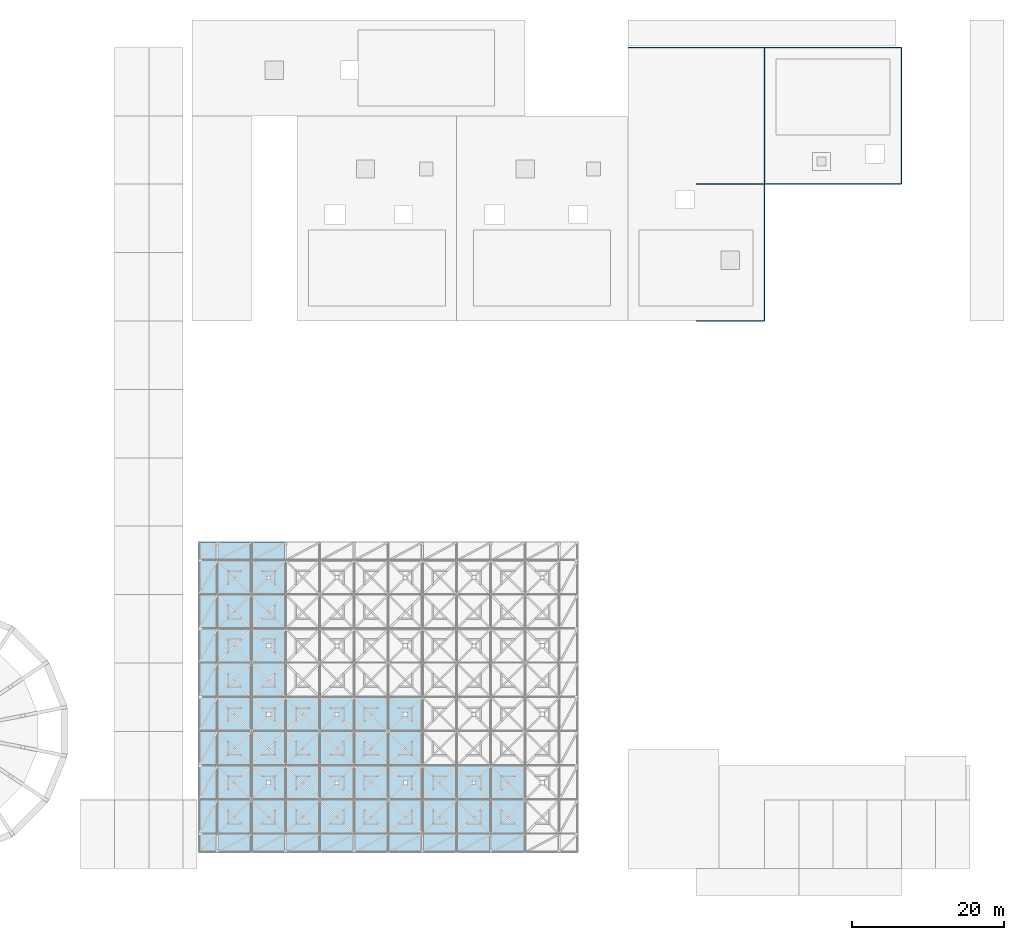
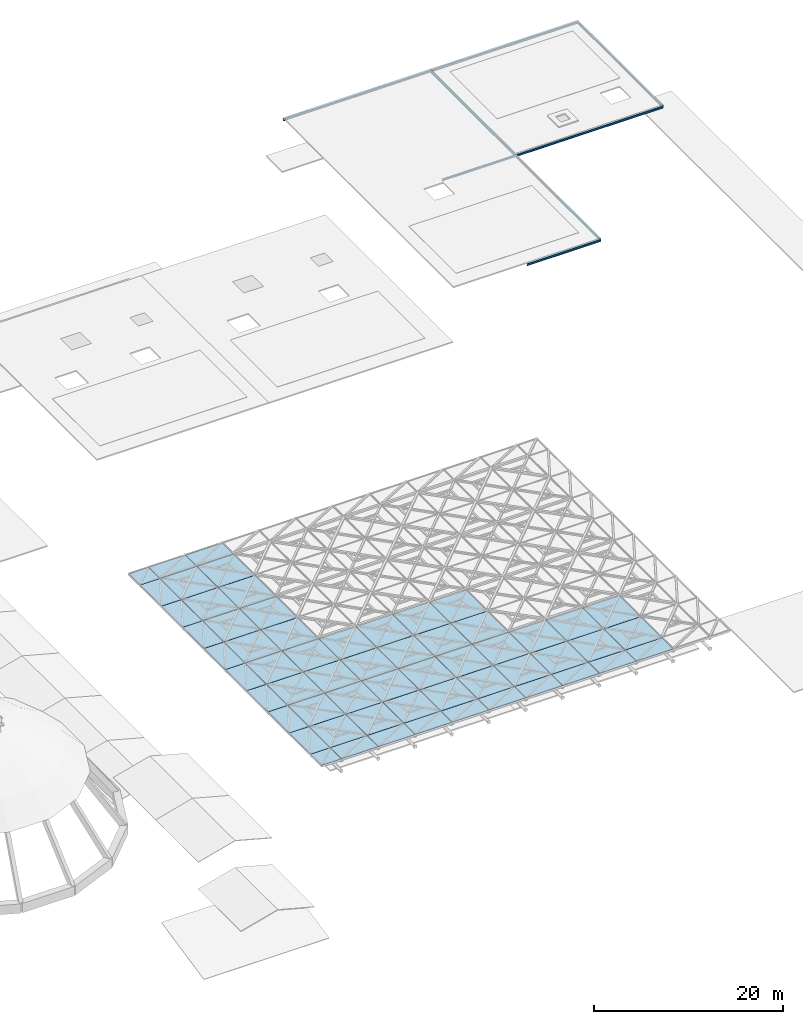
# One storey, part 62 of 80: 59 plates, 14 beams, 10 elements without a shape of their own.
"""IFC4 building model written with IfcOpenShell, lengths in metres."""

from ifc_helpers import new_model, si_unit, direction, frame, origin, origin_2d, place, context, subcontext, project, spatial, rectangle, i_section, extrude, material, layer, layer_set, material_profile, profile_set, type_object, element, aggregate, save


model = new_model("IFC4")

# Units and contexts
model_context = context("Model", 3, precision=1e-05, world=origin(), true_north=direction((0.0, 1.0)))
body_context = subcontext(model_context, "Body", "Model", "MODEL_VIEW")
ifc_project = project(units=[si_unit("LENGTHUNIT", "METRE"), si_unit("AREAUNIT", "SQUARE_METRE"), si_unit("VOLUMEUNIT", "CUBIC_METRE"), si_unit("PLANEANGLEUNIT", "RADIAN"), si_unit("MASSUNIT", "GRAM", prefix="KILO"), si_unit("THERMODYNAMICTEMPERATUREUNIT", "KELVIN"), si_unit("POWERUNIT", "WATT")], contexts=[model_context])

# Site, building, storey
site_placement = place(None, origin())
site = spatial("IfcSite", under=ifc_project, at=site_placement, CompositionType="ELEMENT")
building_placement = place(site_placement, origin())
building = spatial("IfcBuilding", under=site, at=building_placement, Name="Tallowbark Science Centre", CompositionType="ELEMENT")
storey_placement = place(building_placement, frame((0.0, 0.0, 25.949951171875)))
storey = spatial("IfcBuildingStorey", under=building, at=storey_placement, Name="ROOF", CompositionType="ELEMENT", Elevation=25.949951171875)

# Beams
ifc_material_1 = material(Name="Structural Steel Grade 300PLUS (300 MPa)", Category="steel")
ifc_material_profile = material_profile(ifc_material_1, i_section(OverallWidth=0.146484375, OverallDepth=0.256103515625, WebThickness=0.00634765625, FlangeThickness=0.010986328125, FilletRadius=0.0087890625, at=origin_2d()), Name="250UB37.3")
ifc_profile_set = profile_set([ifc_material_profile], Name="Structural Steel Grade 300PLUS (300 MPa)")
beam_type = type_object("IfcBeamType", Name="JST-UB250", PredefinedType="JOIST", material=ifc_profile_set)
for number, where, z_axis, x_axis, name in (
    (1, (121.5, 72.0, -0.2880859375), (1.0, 0.0, 0.0), (0.0, 1.0, 0.0), "Primary Girder GRDX-ROOF-1215-1305-720"),
    (2, (121.5, 90.0, -0.2880859375), (1.0, 0.0, 0.0), (0.0, 1.0, 0.0), "Primary Girder GRDX-ROOF-1215-1305-900"),
    (3, (130.5, 90.0, -0.2880859375), (1.0, 0.0, 0.0), (0.0, 1.0, 0.0), "Primary Girder GRDX-ROOF-1305-1395-900"),
    (4, (139.5, 90.0, -0.2880859375), (1.0, 0.0, 0.0), (0.0, 1.0, 0.0), "Primary Girder GRDX-ROOF-1395-1485-900"),
    (5, (112.5, 108.0, -0.2880859375), (1.0, 0.0, 0.0), (0.0, 1.0, 0.0), "Primary Girder GRDX-ROOF-1125-1215-1080"),
    (6, (121.5, 108.0, -0.2880859375), (1.0, 0.0, 0.0), (0.0, 1.0, 0.0), "Primary Girder GRDX-ROOF-1215-1305-1080"),
    (7, (130.5, 108.0, -0.2880859375), (1.0, 0.0, 0.0), (0.0, 1.0, 0.0), "Primary Girder GRDX-ROOF-1305-1395-1080"),
    (8, (139.5, 108.0, -0.2880859375), (1.0, 0.0, 0.0), (0.0, 1.0, 0.0), "Primary Girder GRDX-ROOF-1395-1485-1080"),
    (9, (130.5, 72.0, -0.2880859375), (0.0, 1.0, 0.0), (-1.0, 0.0, 0.0), "Primary Girder GRDY-ROOF-1305-720-810"),
    (10, (130.5, 81.0, -0.2880859375), (0.0, 1.0, 0.0), (-1.0, 0.0, 0.0), "Primary Girder GRDY-ROOF-1305-810-900"),
    (11, (130.5, 90.0, -0.2880859375), (0.0, 1.0, 0.0), (-1.0, 0.0, 0.0), "Primary Girder GRDY-ROOF-1305-900-990"),
    (12, (130.5, 99.0, -0.2880859375), (0.0, 1.0, 0.0), (-1.0, 0.0, 0.0), "Primary Girder GRDY-ROOF-1305-990-1080"),
    (13, (148.5, 90.0, -0.2880859375), (0.0, 1.0, 0.0), (-1.0, 0.0, 0.0), "Primary Girder GRDY-ROOF-1485-900-990"),
    (14, (148.5, 99.0, -0.2880859375), (0.0, 1.0, 0.0), (-1.0, 0.0, 0.0), "Primary Girder GRDY-ROOF-1485-990-1080"),
):
    element("IfcBeam", number, at=place(storey_placement, frame(where, z_axis=z_axis, x_axis=x_axis)), inside=storey, type_object=beam_type, Name=name, PredefinedType="JOIST", context=body_context, shape_type="SweptSolid", body=[
        extrude(i_section(OverallWidth=0.146484375, OverallDepth=0.256103515625, WebThickness=0.00634765625, FlangeThickness=0.010986328125, FilletRadius=0.0087890625, at=origin_2d()), origin(), (0.0, 0.0, 1.0), 9.0),
    ])

# Curtain wall, plates
ifc_material_2 = material(Name="Blue-Tinted Laminated Low-E Skylight Glass", Category="glass")
curtain_wall_type = type_object("IfcCurtainWallType", Name="CW-SKY-ROOF", PredefinedType="NOTDEFINED", material=ifc_material_2)
curtain_wall_1_placement = place(storey_placement, origin())
curtain_wall_1 = element("IfcCurtainWall", 15, at=curtain_wall_1_placement, inside=storey, type_object=curtain_wall_type, Name="Exhibition Star-Screen Skylight Bay 1", PredefinedType="NOTDEFINED")
ifc_layer = layer(ifc_material_2, 0.035888671875)
ifc_layer_set = layer_set([ifc_layer], Name="Blue-Tinted Laminated Low-E Skylight Glass")
plate_type = type_object("IfcPlateType", Name="CWP-SKY-36", PredefinedType="CURTAIN_PANEL", material=ifc_layer_set)
plate_1_placement = place(storey_placement, frame((57.300048828125, 3.300048828125, 0.333984375), z_axis=(0.0, 0.0, 1.0), x_axis=(1.0, 0.0, 0.0)))
plate_1 = element("IfcPlate", 16, at=plate_1_placement, type_object=plate_type, Name="Exhibition Star-Screen Skylight Glass Panel 1", PredefinedType="CURTAIN_PANEL", context=body_context, shape_type="SweptSolid", body=[
    extrude(rectangle(XDim=2.39208984375, YDim=2.39208984375, at=origin_2d()), origin(), (0.0, 0.0, 1.0), 0.035888671875),
])
plate_2_placement = place(storey_placement, frame((57.300048828125, 6.75, 0.333984375), z_axis=(0.0, 0.0, 1.0), x_axis=(1.0, 0.0, 0.0)))
plate_2 = element("IfcPlate", 17, at=plate_2_placement, type_object=plate_type, Name="Exhibition Star-Screen Skylight Glass Panel 2", PredefinedType="CURTAIN_PANEL", context=body_context, shape_type="SweptSolid", body=[
    extrude(rectangle(XDim=2.39208984375, YDim=4.491943359375, at=origin_2d()), origin(), (0.0, 0.0, 1.0), 0.035888671875),
])
plate_3_placement = place(storey_placement, frame((57.300048828125, 11.25, 0.333984375), z_axis=(0.0, 0.0, 1.0), x_axis=(1.0, 0.0, 0.0)))
plate_3 = element("IfcPlate", 18, at=plate_3_placement, type_object=plate_type, Name="Exhibition Star-Screen Skylight Glass Panel 3", PredefinedType="CURTAIN_PANEL", context=body_context, shape_type="SweptSolid", body=[
    extrude(rectangle(XDim=2.39208984375, YDim=4.491943359375, at=origin_2d()), origin(), (0.0, 0.0, 1.0), 0.035888671875),
])
plate_4_placement = place(storey_placement, frame((57.300048828125, 15.75, 0.333984375), z_axis=(0.0, 0.0, 1.0), x_axis=(1.0, 0.0, 0.0)))
plate_4 = element("IfcPlate", 19, at=plate_4_placement, type_object=plate_type, Name="Exhibition Star-Screen Skylight Glass Panel 4", PredefinedType="CURTAIN_PANEL", context=body_context, shape_type="SweptSolid", body=[
    extrude(rectangle(XDim=2.39208984375, YDim=4.491943359375, at=origin_2d()), origin(), (0.0, 0.0, 1.0), 0.035888671875),
])
plate_5_placement = place(storey_placement, frame((57.300048828125, 20.25, 0.333984375), z_axis=(0.0, 0.0, 1.0), x_axis=(1.0, 0.0, 0.0)))
plate_5 = element("IfcPlate", 20, at=plate_5_placement, type_object=plate_type, Name="Exhibition Star-Screen Skylight Glass Panel 5", PredefinedType="CURTAIN_PANEL", context=body_context, shape_type="SweptSolid", body=[
    extrude(rectangle(XDim=2.39208984375, YDim=4.491943359375, at=origin_2d()), origin(), (0.0, 0.0, 1.0), 0.035888671875),
])
plate_6_placement = place(storey_placement, frame((57.300048828125, 24.75, 0.333984375), z_axis=(0.0, 0.0, 1.0), x_axis=(1.0, 0.0, 0.0)))
plate_6 = element("IfcPlate", 21, at=plate_6_placement, type_object=plate_type, Name="Exhibition Star-Screen Skylight Glass Panel 6", PredefinedType="CURTAIN_PANEL", context=body_context, shape_type="SweptSolid", body=[
    extrude(rectangle(XDim=2.39208984375, YDim=4.491943359375, at=origin_2d()), origin(), (0.0, 0.0, 1.0), 0.035888671875),
])
plate_7_placement = place(storey_placement, frame((57.300048828125, 29.25, 0.333984375), z_axis=(0.0, 0.0, 1.0), x_axis=(1.0, 0.0, 0.0)))
plate_7 = element("IfcPlate", 22, at=plate_7_placement, type_object=plate_type, Name="Exhibition Star-Screen Skylight Glass Panel 7", PredefinedType="CURTAIN_PANEL", context=body_context, shape_type="SweptSolid", body=[
    extrude(rectangle(XDim=2.39208984375, YDim=4.491943359375, at=origin_2d()), origin(), (0.0, 0.0, 1.0), 0.035888671875),
])
plate_8_placement = place(storey_placement, frame((57.300048828125, 33.75, 0.333984375), z_axis=(0.0, 0.0, 1.0), x_axis=(1.0, 0.0, 0.0)))
plate_8 = element("IfcPlate", 23, at=plate_8_placement, type_object=plate_type, Name="Exhibition Star-Screen Skylight Glass Panel 8", PredefinedType="CURTAIN_PANEL", context=body_context, shape_type="SweptSolid", body=[
    extrude(rectangle(XDim=2.39208984375, YDim=4.491943359375, at=origin_2d()), origin(), (0.0, 0.0, 1.0), 0.035888671875),
])
plate_9_placement = place(storey_placement, frame((57.300048828125, 38.25, 0.333984375), z_axis=(0.0, 0.0, 1.0), x_axis=(1.0, 0.0, 0.0)))
plate_9 = element("IfcPlate", 24, at=plate_9_placement, type_object=plate_type, Name="Exhibition Star-Screen Skylight Glass Panel 9", PredefinedType="CURTAIN_PANEL", context=body_context, shape_type="SweptSolid", body=[
    extrude(rectangle(XDim=2.39208984375, YDim=4.491943359375, at=origin_2d()), origin(), (0.0, 0.0, 1.0), 0.035888671875),
])
plate_10_placement = place(storey_placement, frame((57.300048828125, 41.699951171875, 0.333984375), z_axis=(0.0, 0.0, 1.0), x_axis=(1.0, 0.0, 0.0)))
plate_10 = element("IfcPlate", 25, at=plate_10_placement, type_object=plate_type, Name="Exhibition Star-Screen Skylight Glass Panel 10", PredefinedType="CURTAIN_PANEL", context=body_context, shape_type="SweptSolid", body=[
    extrude(rectangle(XDim=2.39208984375, YDim=2.39208984375, at=origin_2d()), origin(), (0.0, 0.0, 1.0), 0.035888671875),
])
aggregate(curtain_wall_1, [plate_1, plate_2, plate_3, plate_4, plate_5, plate_6, plate_7, plate_8, plate_9, plate_10])

curtain_wall_2_placement = place(storey_placement, origin())
curtain_wall_2 = element("IfcCurtainWall", 26, at=curtain_wall_2_placement, inside=storey, type_object=curtain_wall_type, Name="Exhibition Star-Screen Skylight Bay 2", PredefinedType="NOTDEFINED")
plate_11_placement = place(storey_placement, frame((60.75, 3.300048828125, 0.333984375), z_axis=(0.0, 0.0, 1.0), x_axis=(1.0, 0.0, 0.0)))
plate_11 = element("IfcPlate", 27, at=plate_11_placement, type_object=plate_type, Name="Exhibition Star-Screen Skylight Glass Panel 11", PredefinedType="CURTAIN_PANEL", context=body_context, shape_type="SweptSolid", body=[
    extrude(rectangle(XDim=4.491943359375, YDim=2.39208984375, at=origin_2d()), origin(), (0.0, 0.0, 1.0), 0.035888671875),
])
plate_12_placement = place(storey_placement, frame((60.75, 6.75, 0.333984375), z_axis=(0.0, 0.0, 1.0), x_axis=(1.0, 0.0, 0.0)))
plate_12 = element("IfcPlate", 28, at=plate_12_placement, type_object=plate_type, Name="Exhibition Star-Screen Skylight Glass Panel 12", PredefinedType="CURTAIN_PANEL", context=body_context, shape_type="SweptSolid", body=[
    extrude(rectangle(XDim=4.491943359375, YDim=4.491943359375, at=origin_2d()), origin(), (0.0, 0.0, 1.0), 0.035888671875),
])
plate_13_placement = place(storey_placement, frame((60.75, 11.25, 0.333984375), z_axis=(0.0, 0.0, 1.0), x_axis=(1.0, 0.0, 0.0)))
plate_13 = element("IfcPlate", 29, at=plate_13_placement, type_object=plate_type, Name="Exhibition Star-Screen Skylight Glass Panel 13", PredefinedType="CURTAIN_PANEL", context=body_context, shape_type="SweptSolid", body=[
    extrude(rectangle(XDim=4.491943359375, YDim=4.491943359375, at=origin_2d()), origin(), (0.0, 0.0, 1.0), 0.035888671875),
])
plate_14_placement = place(storey_placement, frame((60.75, 15.75, 0.333984375), z_axis=(0.0, 0.0, 1.0), x_axis=(1.0, 0.0, 0.0)))
plate_14 = element("IfcPlate", 30, at=plate_14_placement, type_object=plate_type, Name="Exhibition Star-Screen Skylight Glass Panel 14", PredefinedType="CURTAIN_PANEL", context=body_context, shape_type="SweptSolid", body=[
    extrude(rectangle(XDim=4.491943359375, YDim=4.491943359375, at=origin_2d()), origin(), (0.0, 0.0, 1.0), 0.035888671875),
])
plate_15_placement = place(storey_placement, frame((60.75, 20.25, 0.333984375), z_axis=(0.0, 0.0, 1.0), x_axis=(1.0, 0.0, 0.0)))
plate_15 = element("IfcPlate", 31, at=plate_15_placement, type_object=plate_type, Name="Exhibition Star-Screen Skylight Glass Panel 15", PredefinedType="CURTAIN_PANEL", context=body_context, shape_type="SweptSolid", body=[
    extrude(rectangle(XDim=4.491943359375, YDim=4.491943359375, at=origin_2d()), origin(), (0.0, 0.0, 1.0), 0.035888671875),
])
plate_16_placement = place(storey_placement, frame((60.75, 24.75, 0.333984375), z_axis=(0.0, 0.0, 1.0), x_axis=(1.0, 0.0, 0.0)))
plate_16 = element("IfcPlate", 32, at=plate_16_placement, type_object=plate_type, Name="Exhibition Star-Screen Skylight Glass Panel 16", PredefinedType="CURTAIN_PANEL", context=body_context, shape_type="SweptSolid", body=[
    extrude(rectangle(XDim=4.491943359375, YDim=4.491943359375, at=origin_2d()), origin(), (0.0, 0.0, 1.0), 0.035888671875),
])
plate_17_placement = place(storey_placement, frame((60.75, 29.25, 0.333984375), z_axis=(0.0, 0.0, 1.0), x_axis=(1.0, 0.0, 0.0)))
plate_17 = element("IfcPlate", 33, at=plate_17_placement, type_object=plate_type, Name="Exhibition Star-Screen Skylight Glass Panel 17", PredefinedType="CURTAIN_PANEL", context=body_context, shape_type="SweptSolid", body=[
    extrude(rectangle(XDim=4.491943359375, YDim=4.491943359375, at=origin_2d()), origin(), (0.0, 0.0, 1.0), 0.035888671875),
])
plate_18_placement = place(storey_placement, frame((60.75, 33.75, 0.333984375), z_axis=(0.0, 0.0, 1.0), x_axis=(1.0, 0.0, 0.0)))
plate_18 = element("IfcPlate", 34, at=plate_18_placement, type_object=plate_type, Name="Exhibition Star-Screen Skylight Glass Panel 18", PredefinedType="CURTAIN_PANEL", context=body_context, shape_type="SweptSolid", body=[
    extrude(rectangle(XDim=4.491943359375, YDim=4.491943359375, at=origin_2d()), origin(), (0.0, 0.0, 1.0), 0.035888671875),
])
plate_19_placement = place(storey_placement, frame((60.75, 38.25, 0.333984375), z_axis=(0.0, 0.0, 1.0), x_axis=(1.0, 0.0, 0.0)))
plate_19 = element("IfcPlate", 35, at=plate_19_placement, type_object=plate_type, Name="Exhibition Star-Screen Skylight Glass Panel 19", PredefinedType="CURTAIN_PANEL", context=body_context, shape_type="SweptSolid", body=[
    extrude(rectangle(XDim=4.491943359375, YDim=4.491943359375, at=origin_2d()), origin(), (0.0, 0.0, 1.0), 0.035888671875),
])
plate_20_placement = place(storey_placement, frame((60.75, 41.699951171875, 0.333984375), z_axis=(0.0, 0.0, 1.0), x_axis=(1.0, 0.0, 0.0)))
plate_20 = element("IfcPlate", 36, at=plate_20_placement, type_object=plate_type, Name="Exhibition Star-Screen Skylight Glass Panel 20", PredefinedType="CURTAIN_PANEL", context=body_context, shape_type="SweptSolid", body=[
    extrude(rectangle(XDim=4.491943359375, YDim=2.39208984375, at=origin_2d()), origin(), (0.0, 0.0, 1.0), 0.035888671875),
])
aggregate(curtain_wall_2, [plate_11, plate_12, plate_13, plate_14, plate_15, plate_16, plate_17, plate_18, plate_19, plate_20])

curtain_wall_3_placement = place(storey_placement, origin())
curtain_wall_3 = element("IfcCurtainWall", 37, at=curtain_wall_3_placement, inside=storey, type_object=curtain_wall_type, Name="Exhibition Star-Screen Skylight Bay 3", PredefinedType="NOTDEFINED")
plate_21_placement = place(storey_placement, frame((65.25, 3.300048828125, 0.333984375), z_axis=(0.0, 0.0, 1.0), x_axis=(1.0, 0.0, 0.0)))
plate_21 = element("IfcPlate", 38, at=plate_21_placement, type_object=plate_type, Name="Exhibition Star-Screen Skylight Glass Panel 21", PredefinedType="CURTAIN_PANEL", context=body_context, shape_type="SweptSolid", body=[
    extrude(rectangle(XDim=4.491943359375, YDim=2.39208984375, at=origin_2d()), origin(), (0.0, 0.0, 1.0), 0.035888671875),
])
plate_22_placement = place(storey_placement, frame((65.25, 6.75, 0.333984375), z_axis=(0.0, 0.0, 1.0), x_axis=(1.0, 0.0, 0.0)))
plate_22 = element("IfcPlate", 39, at=plate_22_placement, type_object=plate_type, Name="Exhibition Star-Screen Skylight Glass Panel 22", PredefinedType="CURTAIN_PANEL", context=body_context, shape_type="SweptSolid", body=[
    extrude(rectangle(XDim=4.491943359375, YDim=4.491943359375, at=origin_2d()), origin(), (0.0, 0.0, 1.0), 0.035888671875),
])
plate_23_placement = place(storey_placement, frame((65.25, 11.25, 0.333984375), z_axis=(0.0, 0.0, 1.0), x_axis=(1.0, 0.0, 0.0)))
plate_23 = element("IfcPlate", 40, at=plate_23_placement, type_object=plate_type, Name="Exhibition Star-Screen Skylight Glass Panel 23", PredefinedType="CURTAIN_PANEL", context=body_context, shape_type="SweptSolid", body=[
    extrude(rectangle(XDim=4.491943359375, YDim=4.491943359375, at=origin_2d()), origin(), (0.0, 0.0, 1.0), 0.035888671875),
])
plate_24_placement = place(storey_placement, frame((65.25, 15.75, 0.333984375), z_axis=(0.0, 0.0, 1.0), x_axis=(1.0, 0.0, 0.0)))
plate_24 = element("IfcPlate", 41, at=plate_24_placement, type_object=plate_type, Name="Exhibition Star-Screen Skylight Glass Panel 24", PredefinedType="CURTAIN_PANEL", context=body_context, shape_type="SweptSolid", body=[
    extrude(rectangle(XDim=4.491943359375, YDim=4.491943359375, at=origin_2d()), origin(), (0.0, 0.0, 1.0), 0.035888671875),
])
plate_25_placement = place(storey_placement, frame((65.25, 20.25, 0.333984375), z_axis=(0.0, 0.0, 1.0), x_axis=(1.0, 0.0, 0.0)))
plate_25 = element("IfcPlate", 42, at=plate_25_placement, type_object=plate_type, Name="Exhibition Star-Screen Skylight Glass Panel 25", PredefinedType="CURTAIN_PANEL", context=body_context, shape_type="SweptSolid", body=[
    extrude(rectangle(XDim=4.491943359375, YDim=4.491943359375, at=origin_2d()), origin(), (0.0, 0.0, 1.0), 0.035888671875),
])
plate_26_placement = place(storey_placement, frame((65.25, 24.75, 0.333984375), z_axis=(0.0, 0.0, 1.0), x_axis=(1.0, 0.0, 0.0)))
plate_26 = element("IfcPlate", 43, at=plate_26_placement, type_object=plate_type, Name="Exhibition Star-Screen Skylight Glass Panel 26", PredefinedType="CURTAIN_PANEL", context=body_context, shape_type="SweptSolid", body=[
    extrude(rectangle(XDim=4.491943359375, YDim=4.491943359375, at=origin_2d()), origin(), (0.0, 0.0, 1.0), 0.035888671875),
])
plate_27_placement = place(storey_placement, frame((65.25, 29.25, 0.333984375), z_axis=(0.0, 0.0, 1.0), x_axis=(1.0, 0.0, 0.0)))
plate_27 = element("IfcPlate", 44, at=plate_27_placement, type_object=plate_type, Name="Exhibition Star-Screen Skylight Glass Panel 27", PredefinedType="CURTAIN_PANEL", context=body_context, shape_type="SweptSolid", body=[
    extrude(rectangle(XDim=4.491943359375, YDim=4.491943359375, at=origin_2d()), origin(), (0.0, 0.0, 1.0), 0.035888671875),
])
plate_28_placement = place(storey_placement, frame((65.25, 33.75, 0.333984375), z_axis=(0.0, 0.0, 1.0), x_axis=(1.0, 0.0, 0.0)))
plate_28 = element("IfcPlate", 45, at=plate_28_placement, type_object=plate_type, Name="Exhibition Star-Screen Skylight Glass Panel 28", PredefinedType="CURTAIN_PANEL", context=body_context, shape_type="SweptSolid", body=[
    extrude(rectangle(XDim=4.491943359375, YDim=4.491943359375, at=origin_2d()), origin(), (0.0, 0.0, 1.0), 0.035888671875),
])
plate_29_placement = place(storey_placement, frame((65.25, 38.25, 0.333984375), z_axis=(0.0, 0.0, 1.0), x_axis=(1.0, 0.0, 0.0)))
plate_29 = element("IfcPlate", 46, at=plate_29_placement, type_object=plate_type, Name="Exhibition Star-Screen Skylight Glass Panel 29", PredefinedType="CURTAIN_PANEL", context=body_context, shape_type="SweptSolid", body=[
    extrude(rectangle(XDim=4.491943359375, YDim=4.491943359375, at=origin_2d()), origin(), (0.0, 0.0, 1.0), 0.035888671875),
])
plate_30_placement = place(storey_placement, frame((65.25, 41.699951171875, 0.333984375), z_axis=(0.0, 0.0, 1.0), x_axis=(1.0, 0.0, 0.0)))
plate_30 = element("IfcPlate", 47, at=plate_30_placement, type_object=plate_type, Name="Exhibition Star-Screen Skylight Glass Panel 30", PredefinedType="CURTAIN_PANEL", context=body_context, shape_type="SweptSolid", body=[
    extrude(rectangle(XDim=4.491943359375, YDim=2.39208984375, at=origin_2d()), origin(), (0.0, 0.0, 1.0), 0.035888671875),
])
aggregate(curtain_wall_3, [plate_21, plate_22, plate_23, plate_24, plate_25, plate_26, plate_27, plate_28, plate_29, plate_30])

curtain_wall_4_placement = place(storey_placement, origin())
curtain_wall_4 = element("IfcCurtainWall", 48, at=curtain_wall_4_placement, inside=storey, type_object=curtain_wall_type, Name="Exhibition Star-Screen Skylight Bay 4", PredefinedType="NOTDEFINED")
plate_31_placement = place(storey_placement, frame((69.75, 3.300048828125, 0.333984375), z_axis=(0.0, 0.0, 1.0), x_axis=(1.0, 0.0, 0.0)))
plate_31 = element("IfcPlate", 49, at=plate_31_placement, type_object=plate_type, Name="Exhibition Star-Screen Skylight Glass Panel 31", PredefinedType="CURTAIN_PANEL", context=body_context, shape_type="SweptSolid", body=[
    extrude(rectangle(XDim=4.491943359375, YDim=2.39208984375, at=origin_2d()), origin(), (0.0, 0.0, 1.0), 0.035888671875),
])
plate_32_placement = place(storey_placement, frame((69.75, 6.75, 0.333984375), z_axis=(0.0, 0.0, 1.0), x_axis=(1.0, 0.0, 0.0)))
plate_32 = element("IfcPlate", 50, at=plate_32_placement, type_object=plate_type, Name="Exhibition Star-Screen Skylight Glass Panel 32", PredefinedType="CURTAIN_PANEL", context=body_context, shape_type="SweptSolid", body=[
    extrude(rectangle(XDim=4.491943359375, YDim=4.491943359375, at=origin_2d()), origin(), (0.0, 0.0, 1.0), 0.035888671875),
])
plate_33_placement = place(storey_placement, frame((69.75, 11.25, 0.333984375), z_axis=(0.0, 0.0, 1.0), x_axis=(1.0, 0.0, 0.0)))
plate_33 = element("IfcPlate", 51, at=plate_33_placement, type_object=plate_type, Name="Exhibition Star-Screen Skylight Glass Panel 33", PredefinedType="CURTAIN_PANEL", context=body_context, shape_type="SweptSolid", body=[
    extrude(rectangle(XDim=4.491943359375, YDim=4.491943359375, at=origin_2d()), origin(), (0.0, 0.0, 1.0), 0.035888671875),
])
plate_34_placement = place(storey_placement, frame((69.75, 15.75, 0.333984375), z_axis=(0.0, 0.0, 1.0), x_axis=(1.0, 0.0, 0.0)))
plate_34 = element("IfcPlate", 52, at=plate_34_placement, type_object=plate_type, Name="Exhibition Star-Screen Skylight Glass Panel 34", PredefinedType="CURTAIN_PANEL", context=body_context, shape_type="SweptSolid", body=[
    extrude(rectangle(XDim=4.491943359375, YDim=4.491943359375, at=origin_2d()), origin(), (0.0, 0.0, 1.0), 0.035888671875),
])
plate_35_placement = place(storey_placement, frame((69.75, 20.25, 0.333984375), z_axis=(0.0, 0.0, 1.0), x_axis=(1.0, 0.0, 0.0)))
plate_35 = element("IfcPlate", 53, at=plate_35_placement, type_object=plate_type, Name="Exhibition Star-Screen Skylight Glass Panel 35", PredefinedType="CURTAIN_PANEL", context=body_context, shape_type="SweptSolid", body=[
    extrude(rectangle(XDim=4.491943359375, YDim=4.491943359375, at=origin_2d()), origin(), (0.0, 0.0, 1.0), 0.035888671875),
])
aggregate(curtain_wall_4, [plate_31, plate_32, plate_33, plate_34, plate_35])

curtain_wall_5_placement = place(storey_placement, origin())
curtain_wall_5 = element("IfcCurtainWall", 54, at=curtain_wall_5_placement, inside=storey, type_object=curtain_wall_type, Name="Exhibition Star-Screen Skylight Bay 5", PredefinedType="NOTDEFINED")
plate_36_placement = place(storey_placement, frame((74.25, 3.300048828125, 0.333984375), z_axis=(0.0, 0.0, 1.0), x_axis=(1.0, 0.0, 0.0)))
plate_36 = element("IfcPlate", 55, at=plate_36_placement, type_object=plate_type, Name="Exhibition Star-Screen Skylight Glass Panel 41", PredefinedType="CURTAIN_PANEL", context=body_context, shape_type="SweptSolid", body=[
    extrude(rectangle(XDim=4.491943359375, YDim=2.39208984375, at=origin_2d()), origin(), (0.0, 0.0, 1.0), 0.035888671875),
])
plate_37_placement = place(storey_placement, frame((74.25, 6.75, 0.333984375), z_axis=(0.0, 0.0, 1.0), x_axis=(1.0, 0.0, 0.0)))
plate_37 = element("IfcPlate", 56, at=plate_37_placement, type_object=plate_type, Name="Exhibition Star-Screen Skylight Glass Panel 42", PredefinedType="CURTAIN_PANEL", context=body_context, shape_type="SweptSolid", body=[
    extrude(rectangle(XDim=4.491943359375, YDim=4.491943359375, at=origin_2d()), origin(), (0.0, 0.0, 1.0), 0.035888671875),
])
plate_38_placement = place(storey_placement, frame((74.25, 11.25, 0.333984375), z_axis=(0.0, 0.0, 1.0), x_axis=(1.0, 0.0, 0.0)))
plate_38 = element("IfcPlate", 57, at=plate_38_placement, type_object=plate_type, Name="Exhibition Star-Screen Skylight Glass Panel 43", PredefinedType="CURTAIN_PANEL", context=body_context, shape_type="SweptSolid", body=[
    extrude(rectangle(XDim=4.491943359375, YDim=4.491943359375, at=origin_2d()), origin(), (0.0, 0.0, 1.0), 0.035888671875),
])
plate_39_placement = place(storey_placement, frame((74.25, 15.75, 0.333984375), z_axis=(0.0, 0.0, 1.0), x_axis=(1.0, 0.0, 0.0)))
plate_39 = element("IfcPlate", 58, at=plate_39_placement, type_object=plate_type, Name="Exhibition Star-Screen Skylight Glass Panel 44", PredefinedType="CURTAIN_PANEL", context=body_context, shape_type="SweptSolid", body=[
    extrude(rectangle(XDim=4.491943359375, YDim=4.491943359375, at=origin_2d()), origin(), (0.0, 0.0, 1.0), 0.035888671875),
])
plate_40_placement = place(storey_placement, frame((74.25, 20.25, 0.333984375), z_axis=(0.0, 0.0, 1.0), x_axis=(1.0, 0.0, 0.0)))
plate_40 = element("IfcPlate", 59, at=plate_40_placement, type_object=plate_type, Name="Exhibition Star-Screen Skylight Glass Panel 45", PredefinedType="CURTAIN_PANEL", context=body_context, shape_type="SweptSolid", body=[
    extrude(rectangle(XDim=4.491943359375, YDim=4.491943359375, at=origin_2d()), origin(), (0.0, 0.0, 1.0), 0.035888671875),
])
aggregate(curtain_wall_5, [plate_36, plate_37, plate_38, plate_39, plate_40])

curtain_wall_6_placement = place(storey_placement, origin())
curtain_wall_6 = element("IfcCurtainWall", 60, at=curtain_wall_6_placement, inside=storey, type_object=curtain_wall_type, Name="Exhibition Star-Screen Skylight Bay 6", PredefinedType="NOTDEFINED")
plate_41_placement = place(storey_placement, frame((78.75, 3.300048828125, 0.333984375), z_axis=(0.0, 0.0, 1.0), x_axis=(1.0, 0.0, 0.0)))
plate_41 = element("IfcPlate", 61, at=plate_41_placement, type_object=plate_type, Name="Exhibition Star-Screen Skylight Glass Panel 51", PredefinedType="CURTAIN_PANEL", context=body_context, shape_type="SweptSolid", body=[
    extrude(rectangle(XDim=4.491943359375, YDim=2.39208984375, at=origin_2d()), origin(), (0.0, 0.0, 1.0), 0.035888671875),
])
plate_42_placement = place(storey_placement, frame((78.75, 6.75, 0.333984375), z_axis=(0.0, 0.0, 1.0), x_axis=(1.0, 0.0, 0.0)))
plate_42 = element("IfcPlate", 62, at=plate_42_placement, type_object=plate_type, Name="Exhibition Star-Screen Skylight Glass Panel 52", PredefinedType="CURTAIN_PANEL", context=body_context, shape_type="SweptSolid", body=[
    extrude(rectangle(XDim=4.491943359375, YDim=4.491943359375, at=origin_2d()), origin(), (0.0, 0.0, 1.0), 0.035888671875),
])
plate_43_placement = place(storey_placement, frame((78.75, 11.25, 0.333984375), z_axis=(0.0, 0.0, 1.0), x_axis=(1.0, 0.0, 0.0)))
plate_43 = element("IfcPlate", 63, at=plate_43_placement, type_object=plate_type, Name="Exhibition Star-Screen Skylight Glass Panel 53", PredefinedType="CURTAIN_PANEL", context=body_context, shape_type="SweptSolid", body=[
    extrude(rectangle(XDim=4.491943359375, YDim=4.491943359375, at=origin_2d()), origin(), (0.0, 0.0, 1.0), 0.035888671875),
])
plate_44_placement = place(storey_placement, frame((78.75, 15.75, 0.333984375), z_axis=(0.0, 0.0, 1.0), x_axis=(1.0, 0.0, 0.0)))
plate_44 = element("IfcPlate", 64, at=plate_44_placement, type_object=plate_type, Name="Exhibition Star-Screen Skylight Glass Panel 54", PredefinedType="CURTAIN_PANEL", context=body_context, shape_type="SweptSolid", body=[
    extrude(rectangle(XDim=4.491943359375, YDim=4.491943359375, at=origin_2d()), origin(), (0.0, 0.0, 1.0), 0.035888671875),
])
plate_45_placement = place(storey_placement, frame((78.75, 20.25, 0.333984375), z_axis=(0.0, 0.0, 1.0), x_axis=(1.0, 0.0, 0.0)))
plate_45 = element("IfcPlate", 65, at=plate_45_placement, type_object=plate_type, Name="Exhibition Star-Screen Skylight Glass Panel 55", PredefinedType="CURTAIN_PANEL", context=body_context, shape_type="SweptSolid", body=[
    extrude(rectangle(XDim=4.491943359375, YDim=4.491943359375, at=origin_2d()), origin(), (0.0, 0.0, 1.0), 0.035888671875),
])
aggregate(curtain_wall_6, [plate_41, plate_42, plate_43, plate_44, plate_45])

curtain_wall_7_placement = place(storey_placement, origin())
curtain_wall_7 = element("IfcCurtainWall", 66, at=curtain_wall_7_placement, inside=storey, type_object=curtain_wall_type, Name="Exhibition Star-Screen Skylight Bay 7", PredefinedType="NOTDEFINED")
plate_46_placement = place(storey_placement, frame((83.25, 3.300048828125, 0.333984375), z_axis=(0.0, 0.0, 1.0), x_axis=(1.0, 0.0, 0.0)))
plate_46 = element("IfcPlate", 67, at=plate_46_placement, type_object=plate_type, Name="Exhibition Star-Screen Skylight Glass Panel 61", PredefinedType="CURTAIN_PANEL", context=body_context, shape_type="SweptSolid", body=[
    extrude(rectangle(XDim=4.491943359375, YDim=2.39208984375, at=origin_2d()), origin(), (0.0, 0.0, 1.0), 0.035888671875),
])
plate_47_placement = place(storey_placement, frame((83.25, 6.75, 0.333984375), z_axis=(0.0, 0.0, 1.0), x_axis=(1.0, 0.0, 0.0)))
plate_47 = element("IfcPlate", 68, at=plate_47_placement, type_object=plate_type, Name="Exhibition Star-Screen Skylight Glass Panel 62", PredefinedType="CURTAIN_PANEL", context=body_context, shape_type="SweptSolid", body=[
    extrude(rectangle(XDim=4.491943359375, YDim=4.491943359375, at=origin_2d()), origin(), (0.0, 0.0, 1.0), 0.035888671875),
])
plate_48_placement = place(storey_placement, frame((83.25, 11.25, 0.333984375), z_axis=(0.0, 0.0, 1.0), x_axis=(1.0, 0.0, 0.0)))
plate_48 = element("IfcPlate", 69, at=plate_48_placement, type_object=plate_type, Name="Exhibition Star-Screen Skylight Glass Panel 63", PredefinedType="CURTAIN_PANEL", context=body_context, shape_type="SweptSolid", body=[
    extrude(rectangle(XDim=4.491943359375, YDim=4.491943359375, at=origin_2d()), origin(), (0.0, 0.0, 1.0), 0.035888671875),
])
plate_49_placement = place(storey_placement, frame((83.25, 15.75, 0.333984375), z_axis=(0.0, 0.0, 1.0), x_axis=(1.0, 0.0, 0.0)))
plate_49 = element("IfcPlate", 70, at=plate_49_placement, type_object=plate_type, Name="Exhibition Star-Screen Skylight Glass Panel 64", PredefinedType="CURTAIN_PANEL", context=body_context, shape_type="SweptSolid", body=[
    extrude(rectangle(XDim=4.491943359375, YDim=4.491943359375, at=origin_2d()), origin(), (0.0, 0.0, 1.0), 0.035888671875),
])
plate_50_placement = place(storey_placement, frame((83.25, 20.25, 0.333984375), z_axis=(0.0, 0.0, 1.0), x_axis=(1.0, 0.0, 0.0)))
plate_50 = element("IfcPlate", 71, at=plate_50_placement, type_object=plate_type, Name="Exhibition Star-Screen Skylight Glass Panel 65", PredefinedType="CURTAIN_PANEL", context=body_context, shape_type="SweptSolid", body=[
    extrude(rectangle(XDim=4.491943359375, YDim=4.491943359375, at=origin_2d()), origin(), (0.0, 0.0, 1.0), 0.035888671875),
])
aggregate(curtain_wall_7, [plate_46, plate_47, plate_48, plate_49, plate_50])

curtain_wall_8_placement = place(storey_placement, origin())
curtain_wall_8 = element("IfcCurtainWall", 72, at=curtain_wall_8_placement, inside=storey, type_object=curtain_wall_type, Name="Exhibition Star-Screen Skylight Bay 8", PredefinedType="NOTDEFINED")
plate_51_placement = place(storey_placement, frame((87.75, 3.300048828125, 0.333984375), z_axis=(0.0, 0.0, 1.0), x_axis=(1.0, 0.0, 0.0)))
plate_51 = element("IfcPlate", 73, at=plate_51_placement, type_object=plate_type, Name="Exhibition Star-Screen Skylight Glass Panel 71", PredefinedType="CURTAIN_PANEL", context=body_context, shape_type="SweptSolid", body=[
    extrude(rectangle(XDim=4.491943359375, YDim=2.39208984375, at=origin_2d()), origin(), (0.0, 0.0, 1.0), 0.035888671875),
])
plate_52_placement = place(storey_placement, frame((87.75, 6.75, 0.333984375), z_axis=(0.0, 0.0, 1.0), x_axis=(1.0, 0.0, 0.0)))
plate_52 = element("IfcPlate", 74, at=plate_52_placement, type_object=plate_type, Name="Exhibition Star-Screen Skylight Glass Panel 72", PredefinedType="CURTAIN_PANEL", context=body_context, shape_type="SweptSolid", body=[
    extrude(rectangle(XDim=4.491943359375, YDim=4.491943359375, at=origin_2d()), origin(), (0.0, 0.0, 1.0), 0.035888671875),
])
plate_53_placement = place(storey_placement, frame((87.75, 11.25, 0.333984375), z_axis=(0.0, 0.0, 1.0), x_axis=(1.0, 0.0, 0.0)))
plate_53 = element("IfcPlate", 75, at=plate_53_placement, type_object=plate_type, Name="Exhibition Star-Screen Skylight Glass Panel 73", PredefinedType="CURTAIN_PANEL", context=body_context, shape_type="SweptSolid", body=[
    extrude(rectangle(XDim=4.491943359375, YDim=4.491943359375, at=origin_2d()), origin(), (0.0, 0.0, 1.0), 0.035888671875),
])
aggregate(curtain_wall_8, [plate_51, plate_52, plate_53])

curtain_wall_9_placement = place(storey_placement, origin())
curtain_wall_9 = element("IfcCurtainWall", 76, at=curtain_wall_9_placement, inside=storey, type_object=curtain_wall_type, Name="Exhibition Star-Screen Skylight Bay 9", PredefinedType="NOTDEFINED")
plate_54_placement = place(storey_placement, frame((92.25, 3.300048828125, 0.333984375), z_axis=(0.0, 0.0, 1.0), x_axis=(1.0, 0.0, 0.0)))
plate_54 = element("IfcPlate", 77, at=plate_54_placement, type_object=plate_type, Name="Exhibition Star-Screen Skylight Glass Panel 81", PredefinedType="CURTAIN_PANEL", context=body_context, shape_type="SweptSolid", body=[
    extrude(rectangle(XDim=4.491943359375, YDim=2.39208984375, at=origin_2d()), origin(), (0.0, 0.0, 1.0), 0.035888671875),
])
plate_55_placement = place(storey_placement, frame((92.25, 6.75, 0.333984375), z_axis=(0.0, 0.0, 1.0), x_axis=(1.0, 0.0, 0.0)))
plate_55 = element("IfcPlate", 78, at=plate_55_placement, type_object=plate_type, Name="Exhibition Star-Screen Skylight Glass Panel 82", PredefinedType="CURTAIN_PANEL", context=body_context, shape_type="SweptSolid", body=[
    extrude(rectangle(XDim=4.491943359375, YDim=4.491943359375, at=origin_2d()), origin(), (0.0, 0.0, 1.0), 0.035888671875),
])
plate_56_placement = place(storey_placement, frame((92.25, 11.25, 0.333984375), z_axis=(0.0, 0.0, 1.0), x_axis=(1.0, 0.0, 0.0)))
plate_56 = element("IfcPlate", 79, at=plate_56_placement, type_object=plate_type, Name="Exhibition Star-Screen Skylight Glass Panel 83", PredefinedType="CURTAIN_PANEL", context=body_context, shape_type="SweptSolid", body=[
    extrude(rectangle(XDim=4.491943359375, YDim=4.491943359375, at=origin_2d()), origin(), (0.0, 0.0, 1.0), 0.035888671875),
])
aggregate(curtain_wall_9, [plate_54, plate_55, plate_56])

curtain_wall_10_placement = place(storey_placement, origin())
curtain_wall_10 = element("IfcCurtainWall", 80, at=curtain_wall_10_placement, inside=storey, type_object=curtain_wall_type, Name="Exhibition Star-Screen Skylight Bay 10", PredefinedType="NOTDEFINED")
plate_57_placement = place(storey_placement, frame((96.75, 3.300048828125, 0.333984375), z_axis=(0.0, 0.0, 1.0), x_axis=(1.0, 0.0, 0.0)))
plate_57 = element("IfcPlate", 81, at=plate_57_placement, type_object=plate_type, Name="Exhibition Star-Screen Skylight Glass Panel 91", PredefinedType="CURTAIN_PANEL", context=body_context, shape_type="SweptSolid", body=[
    extrude(rectangle(XDim=4.491943359375, YDim=2.39208984375, at=origin_2d()), origin(), (0.0, 0.0, 1.0), 0.035888671875),
])
plate_58_placement = place(storey_placement, frame((96.75, 6.75, 0.333984375), z_axis=(0.0, 0.0, 1.0), x_axis=(1.0, 0.0, 0.0)))
plate_58 = element("IfcPlate", 82, at=plate_58_placement, type_object=plate_type, Name="Exhibition Star-Screen Skylight Glass Panel 92", PredefinedType="CURTAIN_PANEL", context=body_context, shape_type="SweptSolid", body=[
    extrude(rectangle(XDim=4.491943359375, YDim=4.491943359375, at=origin_2d()), origin(), (0.0, 0.0, 1.0), 0.035888671875),
])
plate_59_placement = place(storey_placement, frame((96.75, 11.25, 0.333984375), z_axis=(0.0, 0.0, 1.0), x_axis=(1.0, 0.0, 0.0)))
plate_59 = element("IfcPlate", 83, at=plate_59_placement, type_object=plate_type, Name="Exhibition Star-Screen Skylight Glass Panel 93", PredefinedType="CURTAIN_PANEL", context=body_context, shape_type="SweptSolid", body=[
    extrude(rectangle(XDim=4.491943359375, YDim=4.491943359375, at=origin_2d()), origin(), (0.0, 0.0, 1.0), 0.035888671875),
])
aggregate(curtain_wall_10, [plate_57, plate_58, plate_59])

save(model, "model.ifc")
